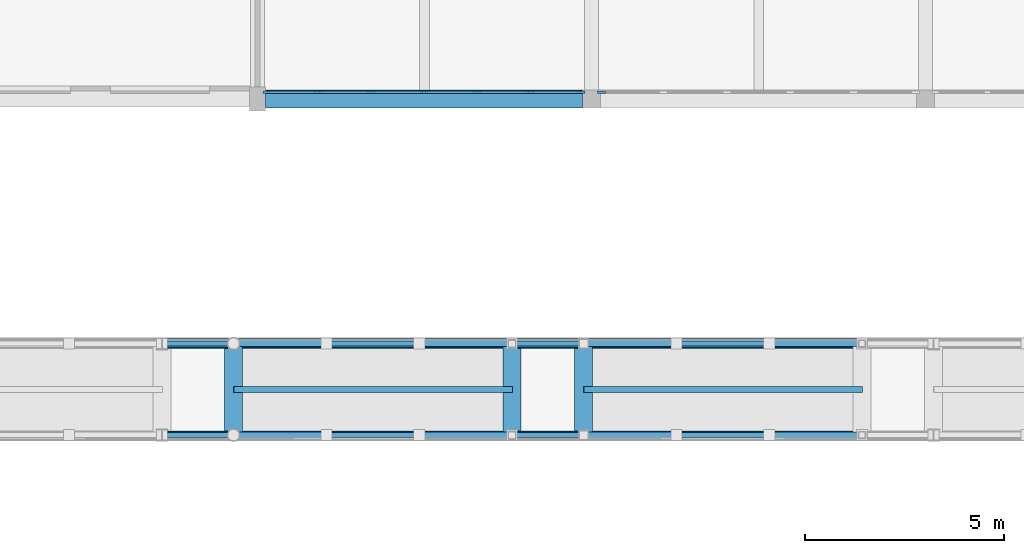
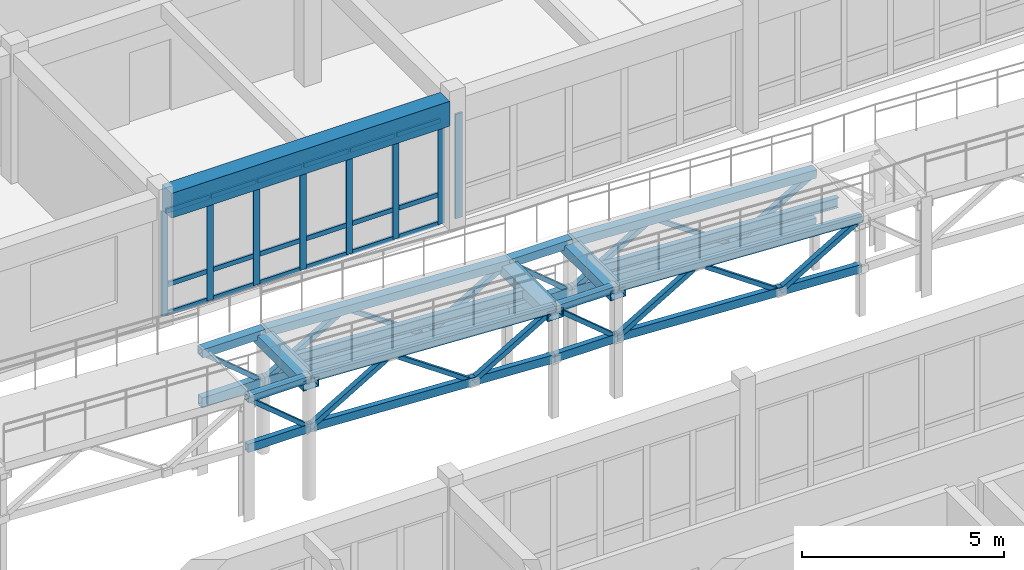
# One storey, part 28 of 89: 58 members, 6 beams, 2 elements without a shape of their own.
"""IFC4 building model written with IfcOpenShell, lengths in metres."""

from ifc_helpers import new_model, si_unit, direction, frame, origin, origin_2d, place, context, subcontext, project, spatial, rectangle, hollow_rectangle, i_section, extrude, material, material_profile, profile_set, type_object, element, aggregate, save


model = new_model("IFC4")

# Units and contexts
model_context = context("Model", 3, precision=1e-05, world=origin(), true_north=direction((0.0, 1.0)))
body_context = subcontext(model_context, "Body", "Model", "MODEL_VIEW")
ifc_project = project(units=[si_unit("LENGTHUNIT", "METRE"), si_unit("AREAUNIT", "SQUARE_METRE"), si_unit("VOLUMEUNIT", "CUBIC_METRE"), si_unit("PLANEANGLEUNIT", "RADIAN"), si_unit("MASSUNIT", "GRAM", prefix="KILO")], contexts=[model_context])

# Site, building, storey
site_placement = place(None, origin())
site = spatial("IfcSite", under=ifc_project, at=site_placement, CompositionType="ELEMENT")
building_placement = place(site_placement, origin())
building = spatial("IfcBuilding", under=site, at=building_placement, Name="Malvenik Polytechnic", CompositionType="ELEMENT")
storey_placement = place(building_placement, frame((0.0, 0.0, 13.5)))
storey = spatial("IfcBuildingStorey", under=building, at=storey_placement, Name="L03", CompositionType="ELEMENT", Elevation=13.5)

# Curtain wall, members
ifc_material_1 = material(Name="Anodised aluminium 6060-T6", Category="aluminium")
curtain_wall_type = type_object("IfcCurtainWallType", Name="ARC-CW-CW-02", PredefinedType="NOTDEFINED", material=ifc_material_1)
curtain_wall_1_placement = place(storey_placement, origin())
curtain_wall_1 = element("IfcCurtainWall", 1, at=curtain_wall_1_placement, inside=storey, type_object=curtain_wall_type, Name="Unitised Curtain Wall CW-02 L03 #202", PredefinedType="NOTDEFINED")
ifc_material_2 = material(Name="Anodised aluminium", Category="aluminium")
ifc_material_profile_1 = material_profile(ifc_material_2, rectangle(XDim=0.06005859375, YDim=0.179931640625, at=origin_2d()), Name="ALU MULLION 60x180")
ifc_profile_set_1 = profile_set([ifc_material_profile_1], Name="Anodised aluminium")
member_type_1 = type_object("IfcMemberType", Name="ARC-CWM-180", PredefinedType="MULLION", material=ifc_profile_set_1)
member_1_placement = place(storey_placement, frame((41.7470703125, 79.3701171875, 0.0), z_axis=(0.0, 0.0, 1.0), x_axis=(0.0, -1.0, 0.0)))
member_1 = element("IfcMember", 2, at=member_1_placement, type_object=member_type_1, Name="CW-02 mullion 1", PredefinedType="MULLION", context=body_context, shape_type="SweptSolid", body=[
    extrude(rectangle(XDim=0.06005859375, YDim=0.179931640625, at=origin_2d()), origin(), (0.0, 0.0, 1.0), 3.159912109375),
])
member_2_placement = place(storey_placement, frame((40.447265625, 79.3701171875, 0.0), z_axis=(0.0, 0.0, 1.0), x_axis=(0.0, -1.0, 0.0)))
member_2 = element("IfcMember", 3, at=member_2_placement, type_object=member_type_1, Name="CW-02 mullion 2", PredefinedType="MULLION", context=body_context, shape_type="SweptSolid", body=[
    extrude(rectangle(XDim=0.06005859375, YDim=0.179931640625, at=origin_2d()), origin(), (0.0, 0.0, 1.0), 3.159912109375),
])
member_3_placement = place(storey_placement, frame((39.117431640625, 79.3701171875, 0.0), z_axis=(0.0, 0.0, 1.0), x_axis=(0.0, -1.0, 0.0)))
member_3 = element("IfcMember", 4, at=member_3_placement, type_object=member_type_1, Name="CW-02 mullion 3", PredefinedType="MULLION", context=body_context, shape_type="SweptSolid", body=[
    extrude(rectangle(XDim=0.06005859375, YDim=0.179931640625, at=origin_2d()), origin(), (0.0, 0.0, 1.0), 3.159912109375),
])
member_4_placement = place(storey_placement, frame((37.78759765625, 79.3701171875, 0.0), z_axis=(0.0, 0.0, 1.0), x_axis=(0.0, -1.0, 0.0)))
member_4 = element("IfcMember", 5, at=member_4_placement, type_object=member_type_1, Name="CW-02 mullion 4", PredefinedType="MULLION", context=body_context, shape_type="SweptSolid", body=[
    extrude(rectangle(XDim=0.06005859375, YDim=0.179931640625, at=origin_2d()), origin(), (0.0, 0.0, 1.0), 3.159912109375),
])
member_5_placement = place(storey_placement, frame((36.457763671875, 79.3701171875, 0.0), z_axis=(0.0, 0.0, 1.0), x_axis=(0.0, -1.0, 0.0)))
member_5 = element("IfcMember", 6, at=member_5_placement, type_object=member_type_1, Name="CW-02 mullion 5", PredefinedType="MULLION", context=body_context, shape_type="SweptSolid", body=[
    extrude(rectangle(XDim=0.06005859375, YDim=0.179931640625, at=origin_2d()), origin(), (0.0, 0.0, 1.0), 3.159912109375),
])
member_6_placement = place(storey_placement, frame((35.1279296875, 79.3701171875, 0.0), z_axis=(0.0, 0.0, 1.0), x_axis=(0.0, -1.0, 0.0)))
member_6 = element("IfcMember", 7, at=member_6_placement, type_object=member_type_1, Name="CW-02 mullion 6", PredefinedType="MULLION", context=body_context, shape_type="SweptSolid", body=[
    extrude(rectangle(XDim=0.06005859375, YDim=0.179931640625, at=origin_2d()), origin(), (0.0, 0.0, 1.0), 3.159912109375),
])
member_7_placement = place(storey_placement, frame((33.827880859375, 79.3701171875, 0.0), z_axis=(0.0, 0.0, 1.0), x_axis=(0.0, -1.0, 0.0)))
member_7 = element("IfcMember", 8, at=member_7_placement, type_object=member_type_1, Name="CW-02 mullion 7", PredefinedType="MULLION", context=body_context, shape_type="SweptSolid", body=[
    extrude(rectangle(XDim=0.06005859375, YDim=0.179931640625, at=origin_2d()), origin(), (0.0, 0.0, 1.0), 3.159912109375),
])

# Curtain wall, member
curtain_wall_2_placement = place(storey_placement, origin())
curtain_wall_2 = element("IfcCurtainWall", 9, at=curtain_wall_2_placement, inside=storey, type_object=curtain_wall_type, Name="Unitised Curtain Wall CW-02 L03 #201", PredefinedType="NOTDEFINED")
ifc_material_profile_2 = material_profile(ifc_material_2, rectangle(XDim=0.06005859375, YDim=0.199951171875, at=origin_2d()), Name="ALU MULLION 60x200")
ifc_profile_set_2 = profile_set([ifc_material_profile_2], Name="Anodised aluminium")
member_type_2 = type_object("IfcMemberType", Name="ARC-CWM-200", PredefinedType="MULLION", material=ifc_profile_set_2)
member_8_placement = place(storey_placement, frame((42.2529296875, 79.3701171875, 0.0), z_axis=(0.0, 0.0, 1.0), x_axis=(0.0, -1.0, 0.0)))
member_8 = element("IfcMember", 10, at=member_8_placement, type_object=member_type_2, Name="CW-02 mullion 6", PredefinedType="MULLION", context=body_context, shape_type="SweptSolid", body=[
    extrude(rectangle(XDim=0.06005859375, YDim=0.199951171875, at=origin_2d()), origin(), (0.0, 0.0, 1.0), 3.159912109375),
])
aggregate(curtain_wall_2, [member_8])

# Member
ifc_material_profile_3 = material_profile(ifc_material_2, rectangle(XDim=0.06005859375, YDim=0.139892578125, at=origin_2d()), Name="ALU TRANSOM 60x140")
ifc_profile_set_3 = profile_set([ifc_material_profile_3], Name="Anodised aluminium")
member_type_3 = type_object("IfcMemberType", Name="ARC-CWT-140", PredefinedType="USERDEFINED", material=ifc_profile_set_3)
member_9_placement = place(storey_placement, frame((41.717041015625, 79.3701171875, 0.030029296875), z_axis=(-1.0, 0.0, 0.0), x_axis=(0.0, -1.0, 0.0)))
member_9 = element("IfcMember", 11, at=member_9_placement, type_object=member_type_3, Name="CW-02 transom 1.1", ObjectType="TRANSOM", PredefinedType="USERDEFINED", context=body_context, shape_type="SweptSolid", body=[
    extrude(rectangle(XDim=0.06005859375, YDim=0.139892578125, at=origin_2d()), origin(), (0.0, 0.0, 1.0), 1.239990234375),
])

member_10_placement = place(storey_placement, frame((41.717041015625, 79.3701171875, 0.89990234375), z_axis=(-1.0, 0.0, 0.0), x_axis=(0.0, -1.0, 0.0)))
member_10 = element("IfcMember", 12, at=member_10_placement, type_object=member_type_3, Name="CW-02 transom 1.2", ObjectType="TRANSOM", PredefinedType="USERDEFINED", context=body_context, shape_type="SweptSolid", body=[
    extrude(rectangle(XDim=0.06005859375, YDim=0.139892578125, at=origin_2d()), origin(), (0.0, 0.0, 1.0), 1.239990234375),
])

member_11_placement = place(storey_placement, frame((41.717041015625, 79.3701171875, 3.1298828125), z_axis=(-1.0, 0.0, 0.0), x_axis=(0.0, -1.0, 0.0)))
member_11 = element("IfcMember", 13, at=member_11_placement, type_object=member_type_3, Name="CW-02 transom 1.3", ObjectType="TRANSOM", PredefinedType="USERDEFINED", context=body_context, shape_type="SweptSolid", body=[
    extrude(rectangle(XDim=0.06005859375, YDim=0.139892578125, at=origin_2d()), origin(), (0.0, 0.0, 1.0), 1.239990234375),
])

member_12_placement = place(storey_placement, frame((40.417236328125, 79.3701171875, 0.030029296875), z_axis=(-1.0, 0.0, 0.0), x_axis=(0.0, -1.0, 0.0)))
member_12 = element("IfcMember", 14, at=member_12_placement, type_object=member_type_3, Name="CW-02 transom 2.1", ObjectType="TRANSOM", PredefinedType="USERDEFINED", context=body_context, shape_type="SweptSolid", body=[
    extrude(rectangle(XDim=0.06005859375, YDim=0.139892578125, at=origin_2d()), origin(), (0.0, 0.0, 1.0), 1.27001953125),
])

member_13_placement = place(storey_placement, frame((40.417236328125, 79.3701171875, 0.89990234375), z_axis=(-1.0, 0.0, 0.0), x_axis=(0.0, -1.0, 0.0)))
member_13 = element("IfcMember", 15, at=member_13_placement, type_object=member_type_3, Name="CW-02 transom 2.2", ObjectType="TRANSOM", PredefinedType="USERDEFINED", context=body_context, shape_type="SweptSolid", body=[
    extrude(rectangle(XDim=0.06005859375, YDim=0.139892578125, at=origin_2d()), origin(), (0.0, 0.0, 1.0), 1.27001953125),
])

member_14_placement = place(storey_placement, frame((40.417236328125, 79.3701171875, 3.1298828125), z_axis=(-1.0, 0.0, 0.0), x_axis=(0.0, -1.0, 0.0)))
member_14 = element("IfcMember", 16, at=member_14_placement, type_object=member_type_3, Name="CW-02 transom 2.3", ObjectType="TRANSOM", PredefinedType="USERDEFINED", context=body_context, shape_type="SweptSolid", body=[
    extrude(rectangle(XDim=0.06005859375, YDim=0.139892578125, at=origin_2d()), origin(), (0.0, 0.0, 1.0), 1.27001953125),
])

member_15_placement = place(storey_placement, frame((39.08740234375, 79.3701171875, 0.030029296875), z_axis=(-1.0, 0.0, 0.0), x_axis=(0.0, -1.0, 0.0)))
member_15 = element("IfcMember", 17, at=member_15_placement, type_object=member_type_3, Name="CW-02 transom 3.1", ObjectType="TRANSOM", PredefinedType="USERDEFINED", context=body_context, shape_type="SweptSolid", body=[
    extrude(rectangle(XDim=0.06005859375, YDim=0.139892578125, at=origin_2d()), origin(), (0.0, 0.0, 1.0), 1.27001953125),
])

member_16_placement = place(storey_placement, frame((39.08740234375, 79.3701171875, 0.89990234375), z_axis=(-1.0, 0.0, 0.0), x_axis=(0.0, -1.0, 0.0)))
member_16 = element("IfcMember", 18, at=member_16_placement, type_object=member_type_3, Name="CW-02 transom 3.2", ObjectType="TRANSOM", PredefinedType="USERDEFINED", context=body_context, shape_type="SweptSolid", body=[
    extrude(rectangle(XDim=0.06005859375, YDim=0.139892578125, at=origin_2d()), origin(), (0.0, 0.0, 1.0), 1.27001953125),
])

member_17_placement = place(storey_placement, frame((39.08740234375, 79.3701171875, 3.1298828125), z_axis=(-1.0, 0.0, 0.0), x_axis=(0.0, -1.0, 0.0)))
member_17 = element("IfcMember", 19, at=member_17_placement, type_object=member_type_3, Name="CW-02 transom 3.3", ObjectType="TRANSOM", PredefinedType="USERDEFINED", context=body_context, shape_type="SweptSolid", body=[
    extrude(rectangle(XDim=0.06005859375, YDim=0.139892578125, at=origin_2d()), origin(), (0.0, 0.0, 1.0), 1.27001953125),
])

member_18_placement = place(storey_placement, frame((37.757568359375, 79.3701171875, 0.030029296875), z_axis=(-1.0, 0.0, 0.0), x_axis=(0.0, -1.0, 0.0)))
member_18 = element("IfcMember", 20, at=member_18_placement, type_object=member_type_3, Name="CW-02 transom 4.1", ObjectType="TRANSOM", PredefinedType="USERDEFINED", context=body_context, shape_type="SweptSolid", body=[
    extrude(rectangle(XDim=0.06005859375, YDim=0.139892578125, at=origin_2d()), origin(), (0.0, 0.0, 1.0), 1.27001953125),
])

member_19_placement = place(storey_placement, frame((37.757568359375, 79.3701171875, 0.89990234375), z_axis=(-1.0, 0.0, 0.0), x_axis=(0.0, -1.0, 0.0)))
member_19 = element("IfcMember", 21, at=member_19_placement, type_object=member_type_3, Name="CW-02 transom 4.2", ObjectType="TRANSOM", PredefinedType="USERDEFINED", context=body_context, shape_type="SweptSolid", body=[
    extrude(rectangle(XDim=0.06005859375, YDim=0.139892578125, at=origin_2d()), origin(), (0.0, 0.0, 1.0), 1.27001953125),
])

member_20_placement = place(storey_placement, frame((37.757568359375, 79.3701171875, 3.1298828125), z_axis=(-1.0, 0.0, 0.0), x_axis=(0.0, -1.0, 0.0)))
member_20 = element("IfcMember", 22, at=member_20_placement, type_object=member_type_3, Name="CW-02 transom 4.3", ObjectType="TRANSOM", PredefinedType="USERDEFINED", context=body_context, shape_type="SweptSolid", body=[
    extrude(rectangle(XDim=0.06005859375, YDim=0.139892578125, at=origin_2d()), origin(), (0.0, 0.0, 1.0), 1.27001953125),
])

member_21_placement = place(storey_placement, frame((36.427734375, 79.3701171875, 0.030029296875), z_axis=(-1.0, 0.0, 0.0), x_axis=(0.0, -1.0, 0.0)))
member_21 = element("IfcMember", 23, at=member_21_placement, type_object=member_type_3, Name="CW-02 transom 5.1", ObjectType="TRANSOM", PredefinedType="USERDEFINED", context=body_context, shape_type="SweptSolid", body=[
    extrude(rectangle(XDim=0.06005859375, YDim=0.139892578125, at=origin_2d()), origin(), (0.0, 0.0, 1.0), 1.27001953125),
])

member_22_placement = place(storey_placement, frame((36.427734375, 79.3701171875, 0.89990234375), z_axis=(-1.0, 0.0, 0.0), x_axis=(0.0, -1.0, 0.0)))
member_22 = element("IfcMember", 24, at=member_22_placement, type_object=member_type_3, Name="CW-02 transom 5.2", ObjectType="TRANSOM", PredefinedType="USERDEFINED", context=body_context, shape_type="SweptSolid", body=[
    extrude(rectangle(XDim=0.06005859375, YDim=0.139892578125, at=origin_2d()), origin(), (0.0, 0.0, 1.0), 1.27001953125),
])

member_23_placement = place(storey_placement, frame((36.427734375, 79.3701171875, 3.1298828125), z_axis=(-1.0, 0.0, 0.0), x_axis=(0.0, -1.0, 0.0)))
member_23 = element("IfcMember", 25, at=member_23_placement, type_object=member_type_3, Name="CW-02 transom 5.3", ObjectType="TRANSOM", PredefinedType="USERDEFINED", context=body_context, shape_type="SweptSolid", body=[
    extrude(rectangle(XDim=0.06005859375, YDim=0.139892578125, at=origin_2d()), origin(), (0.0, 0.0, 1.0), 1.27001953125),
])

member_24_placement = place(storey_placement, frame((35.097900390625, 79.3701171875, 0.030029296875), z_axis=(-1.0, 0.0, 0.0), x_axis=(0.0, -1.0, 0.0)))
member_24 = element("IfcMember", 26, at=member_24_placement, type_object=member_type_3, Name="CW-02 transom 6.1", ObjectType="TRANSOM", PredefinedType="USERDEFINED", context=body_context, shape_type="SweptSolid", body=[
    extrude(rectangle(XDim=0.06005859375, YDim=0.139892578125, at=origin_2d()), origin(), (0.0, 0.0, 1.0), 1.239990234375),
])

member_25_placement = place(storey_placement, frame((35.097900390625, 79.3701171875, 0.89990234375), z_axis=(-1.0, 0.0, 0.0), x_axis=(0.0, -1.0, 0.0)))
member_25 = element("IfcMember", 27, at=member_25_placement, type_object=member_type_3, Name="CW-02 transom 6.2", ObjectType="TRANSOM", PredefinedType="USERDEFINED", context=body_context, shape_type="SweptSolid", body=[
    extrude(rectangle(XDim=0.06005859375, YDim=0.139892578125, at=origin_2d()), origin(), (0.0, 0.0, 1.0), 1.239990234375),
])

member_26_placement = place(storey_placement, frame((35.097900390625, 79.3701171875, 3.1298828125), z_axis=(-1.0, 0.0, 0.0), x_axis=(0.0, -1.0, 0.0)))
member_26 = element("IfcMember", 28, at=member_26_placement, type_object=member_type_3, Name="CW-02 transom 6.3", ObjectType="TRANSOM", PredefinedType="USERDEFINED", context=body_context, shape_type="SweptSolid", body=[
    extrude(rectangle(XDim=0.06005859375, YDim=0.139892578125, at=origin_2d()), origin(), (0.0, 0.0, 1.0), 1.239990234375),
])

aggregate(curtain_wall_1, [member_1, member_2, member_3, member_4, member_5, member_6, member_7, member_9, member_10, member_11, member_12, member_13, member_14, member_15, member_16, member_17, member_18, member_19, member_20, member_21, member_22, member_23, member_24, member_25, member_26])

# Beams
ifc_material_3 = material(Name="Steel S355J2H", Category="steel")
ifc_material_profile_4 = material_profile(ifc_material_3, hollow_rectangle(XDim=0.449951171875, YDim=0.300048828125, WallThickness=0.012451171875, at=origin_2d()), Name="RHS 450x300x12.5")
ifc_profile_set_4 = profile_set([ifc_material_profile_4], Name="Steel S355J2H")
beam_type_1 = type_object("IfcBeamType", Name="STR-BM-SB-07", PredefinedType="BEAM", material=ifc_profile_set_4)
for number, where, z_axis, x_axis, name in (
    (29, (41.800048828125, 70.64990234375, 3.132080078125), (0.0, 1.0, 0.0), (-1.0, 0.0, 0.0), "Ramp Joint Transom RB-02 #19"),
    (30, (40.0, 70.64990234375, 3.132080078125), (0.0, 1.0, 0.0), (-1.0, 0.0, 0.0), "Ramp Joint Transom RB-02 #20"),
    (31, (33.0, 70.64990234375, 3.48193359375), (0.0, 1.0, 0.0), (-1.0, 0.0, 0.0), "Ramp Joint Transom RB-02 #21"),
):
    element("IfcBeam", number, at=place(storey_placement, frame(where, z_axis=z_axis, x_axis=x_axis)), inside=storey, type_object=beam_type_1, Name=name, PredefinedType="BEAM", context=body_context, shape_type="SweptSolid", body=[
        extrude(hollow_rectangle(XDim=0.449951171875, YDim=0.300048828125, WallThickness=0.012451171875, at=origin_2d()), origin(), (0.0, 0.0, 1.0), 2.5),
    ])
ifc_material_4 = material(Name="Steel S355", Category="steel")
ifc_material_profile_5 = material_profile(ifc_material_4, i_section(OverallWidth=0.14990234375, OverallDepth=0.300048828125, WebThickness=0.007080078125, FlangeThickness=0.0107421875, FilletRadius=0.014892578125, at=origin_2d()), Name="IPE 300")
ifc_profile_set_5 = profile_set([ifc_material_profile_5], Name="Steel S355")
beam_type_2 = type_object("IfcBeamType", Name="STR-BM-SB-09", PredefinedType="JOIST", material=ifc_profile_set_5)
for number, where, z_axis, x_axis, name in (
    (32, (48.800048828125, 71.89990234375, 2.72509765625), (-0.998753381067, 0.0, 0.049916768801), (0.0, -1.0, 0.0), "Ramp Centreline Stringer RB-02 #18"),
    (33, (40.0, 71.89990234375, 3.074951171875), (-0.998751643845, 0.0, 0.049951515669), (0.0, -1.0, 0.0), "Ramp Centreline Stringer RB-02 #20"),
):
    element("IfcBeam", number, at=place(storey_placement, frame(where, z_axis=z_axis, x_axis=x_axis)), inside=storey, type_object=beam_type_2, Name=name, PredefinedType="JOIST", context=body_context, shape_type="SweptSolid", body=[
        extrude(i_section(OverallWidth=0.14990234375, OverallDepth=0.300048828125, WebThickness=0.007080078125, FlangeThickness=0.0107421875, FilletRadius=0.014892578125, at=origin_2d()), origin(), (0.0, 0.0, 1.0), 7.0087890625),
    ])
ifc_material_5 = material(Name="Precast concrete C40/50", Category="concrete")
ifc_material_profile_6 = material_profile(ifc_material_5, rectangle(XDim=0.4599609375, YDim=0.75, at=origin_2d()), Name="PC SPN 460x750")
ifc_profile_set_6 = profile_set([ifc_material_profile_6], Name="Precast concrete C40/50")
beam_type_3 = type_object("IfcBeamType", Name="STR-BM-SP-02", PredefinedType="SPANDREL", material=ifc_profile_set_6)
beam_placement = place(storey_placement, frame((33.798095703125, 79.199951171875, 3.544921875), z_axis=(1.0, 0.0, 0.0), x_axis=(0.0, 1.0, 0.0)))
element("IfcBeam", 34, at=beam_placement, inside=storey, type_object=beam_type_3, Name="Primary Beam SP-02 L03 #1638", PredefinedType="SPANDREL", context=body_context, shape_type="SweptSolid", body=[
    extrude(rectangle(XDim=0.4599609375, YDim=0.75, at=origin_2d()), origin(), (0.0, 0.0, 1.0), 7.97900390625),
])

# Members
ifc_material_profile_7 = material_profile(ifc_material_3, hollow_rectangle(XDim=0.14990234375, YDim=0.25, WallThickness=0.010009765625, at=origin_2d()), Name="RHS 250x150x10.0")
ifc_profile_set_7 = profile_set([ifc_material_profile_7], Name="Steel S355J2H")
member_type_4 = type_object("IfcMemberType", Name="STR-MEM-TRB-01", PredefinedType="CHORD", material=ifc_profile_set_7)
member_27_placement = place(storey_placement, frame((48.7958984375, 70.75, 1.43017578125), z_axis=(-0.998752251909, 0.0, 0.049939356288), x_axis=(0.0, -1.0, 0.0)))
element("IfcMember", 35, at=member_27_placement, inside=storey, type_object=member_type_4, Name="Space-Frame Tube TRB-01 STR-TR-BC-RB-02-1-18", PredefinedType="CHORD", context=body_context, shape_type="SweptSolid", body=[
    extrude(hollow_rectangle(XDim=0.14990234375, YDim=0.25, WallThickness=0.010009765625, at=origin_2d()), origin(), (0.0, 0.0, 1.0), 7.000732421875),
])
member_28_placement = place(storey_placement, frame((41.7958984375, 70.75, 1.780029296875), z_axis=(-1.0, 0.0, 0.0), x_axis=(0.0, -1.0, 0.0)))
element("IfcMember", 36, at=member_28_placement, inside=storey, type_object=member_type_4, Name="Space-Frame Tube TRB-01 STR-TR-BC-RB-02-1-19", PredefinedType="CHORD", context=body_context, shape_type="SweptSolid", body=[
    extrude(hollow_rectangle(XDim=0.14990234375, YDim=0.25, WallThickness=0.010009765625, at=origin_2d()), origin(), (0.0, 0.0, 1.0), 1.7919921875),
])
member_29_placement = place(storey_placement, frame((39.99609375, 70.75, 1.7802734375), z_axis=(-0.998752338878, 0.0, 0.049937616944), x_axis=(0.0, -1.0, 0.0)))
element("IfcMember", 37, at=member_29_placement, inside=storey, type_object=member_type_4, Name="Space-Frame Tube TRB-01 STR-TR-BC-RB-02-1-20", PredefinedType="CHORD", context=body_context, shape_type="SweptSolid", body=[
    extrude(hollow_rectangle(XDim=0.14990234375, YDim=0.25, WallThickness=0.010009765625, at=origin_2d()), origin(), (0.0, 0.0, 1.0), 7.0009765625),
])
member_30_placement = place(storey_placement, frame((32.99609375, 70.75, 2.1298828125), z_axis=(-1.0, 0.0, 0.0), x_axis=(0.0, -1.0, 0.0)))
element("IfcMember", 38, at=member_30_placement, inside=storey, type_object=member_type_4, Name="Space-Frame Tube TRB-01 STR-TR-BC-RB-02-1-21", PredefinedType="CHORD", context=body_context, shape_type="SweptSolid", body=[
    extrude(hollow_rectangle(XDim=0.14990234375, YDim=0.25, WallThickness=0.010009765625, at=origin_2d()), origin(), (0.0, 0.0, 1.0), 1.7919921875),
])
ifc_material_profile_8 = material_profile(ifc_material_3, hollow_rectangle(XDim=0.199951171875, YDim=0.300048828125, WallThickness=0.010009765625, at=origin_2d()), Name="RHS 300x200x10.0")
ifc_profile_set_8 = profile_set([ifc_material_profile_8], Name="Steel S355J2H")
member_type_5 = type_object("IfcMemberType", Name="STR-MEM-TRB-02", PredefinedType="CHORD", material=ifc_profile_set_8)
member_31_placement = place(storey_placement, frame((48.7958984375, 73.050048828125, 1.43017578125), z_axis=(-0.998752251909, 0.0, 0.049939356288), x_axis=(0.0, -1.0, 0.0)))
element("IfcMember", 39, at=member_31_placement, inside=storey, type_object=member_type_5, Name="Space-Frame Tube TRB-02 STR-TR-BC-RB-02-2-18", PredefinedType="CHORD", context=body_context, shape_type="SweptSolid", body=[
    extrude(hollow_rectangle(XDim=0.199951171875, YDim=0.300048828125, WallThickness=0.010009765625, at=origin_2d()), origin(), (0.0, 0.0, 1.0), 7.000732421875),
])
member_32_placement = place(storey_placement, frame((41.7958984375, 73.050048828125, 1.780029296875), z_axis=(-1.0, 0.0, 0.0), x_axis=(0.0, -1.0, 0.0)))
element("IfcMember", 40, at=member_32_placement, inside=storey, type_object=member_type_5, Name="Space-Frame Tube TRB-02 STR-TR-BC-RB-02-2-19", PredefinedType="CHORD", context=body_context, shape_type="SweptSolid", body=[
    extrude(hollow_rectangle(XDim=0.199951171875, YDim=0.300048828125, WallThickness=0.010009765625, at=origin_2d()), origin(), (0.0, 0.0, 1.0), 1.7919921875),
])
member_33_placement = place(storey_placement, frame((39.99609375, 73.050048828125, 1.7802734375), z_axis=(-0.998752338878, 0.0, 0.049937616944), x_axis=(0.0, -1.0, 0.0)))
element("IfcMember", 41, at=member_33_placement, inside=storey, type_object=member_type_5, Name="Space-Frame Tube TRB-02 STR-TR-BC-RB-02-2-20", PredefinedType="CHORD", context=body_context, shape_type="SweptSolid", body=[
    extrude(hollow_rectangle(XDim=0.199951171875, YDim=0.300048828125, WallThickness=0.010009765625, at=origin_2d()), origin(), (0.0, 0.0, 1.0), 7.0009765625),
])
member_34_placement = place(storey_placement, frame((32.99609375, 73.050048828125, 2.1298828125), z_axis=(-1.0, 0.0, 0.0), x_axis=(0.0, -1.0, 0.0)))
element("IfcMember", 42, at=member_34_placement, inside=storey, type_object=member_type_5, Name="Space-Frame Tube TRB-02 STR-TR-BC-RB-02-2-21", PredefinedType="CHORD", context=body_context, shape_type="SweptSolid", body=[
    extrude(hollow_rectangle(XDim=0.199951171875, YDim=0.300048828125, WallThickness=0.010009765625, at=origin_2d()), origin(), (0.0, 0.0, 1.0), 1.7919921875),
])
ifc_material_profile_9 = material_profile(ifc_material_3, hollow_rectangle(XDim=0.14990234375, YDim=0.14990234375, WallThickness=0.008056640625, at=origin_2d()), Name="SHS 150x150x8.0")
ifc_profile_set_9 = profile_set([ifc_material_profile_9], Name="Steel S355J2H")
member_type_6 = type_object("IfcMemberType", Name="STR-MEM-TRD-01", PredefinedType="BRACE", material=ifc_profile_set_9)
for number, where, z_axis, x_axis, name in (
    (43, (48.796630859375, 70.75, 2.927978515625), (-0.860165406805, 0.0, -0.51001516932), (0.0, -1.0, 0.0), "Space-Frame Tube TRD-01 STR-TRD-01-RB-02-1-18"),
    (44, (44.1298828125, 70.75, 3.161376953125), (-0.860165406805, 0.0, -0.51001516932), (0.0, -1.0, 0.0), "Space-Frame Tube TRD-01 STR-TRD-03-RB-02-1-18"),
    (45, (39.99658203125, 70.75, 3.278076171875), (-0.860165406805, 0.0, -0.51001516932), (0.0, -1.0, 0.0), "Space-Frame Tube TRD-01 STR-TRD-01-RB-02-1-20"),
    (46, (35.329833984375, 70.75, 3.51123046875), (-0.860205006447, 0.0, -0.509948376684), (0.0, -1.0, 0.0), "Space-Frame Tube TRD-01 STR-TRD-03-RB-02-1-20"),
    (47, (48.796630859375, 73.050048828125, 2.927978515625), (-0.860165406805, 0.0, -0.51001516932), (0.0, -1.0, 0.0), "Space-Frame Tube TRD-01 STR-TRD-01-RB-02-2-18"),
    (48, (44.1298828125, 73.050048828125, 3.161376953125), (-0.860165406805, 0.0, -0.51001516932), (0.0, -1.0, 0.0), "Space-Frame Tube TRD-01 STR-TRD-03-RB-02-2-18"),
    (49, (39.99658203125, 73.050048828125, 3.278076171875), (-0.860165406805, 0.0, -0.51001516932), (0.0, -1.0, 0.0), "Space-Frame Tube TRD-01 STR-TRD-01-RB-02-2-20"),
    (50, (35.329833984375, 73.050048828125, 3.51123046875), (-0.860205006447, 0.0, -0.509948376684), (0.0, -1.0, 0.0), "Space-Frame Tube TRD-01 STR-TRD-03-RB-02-2-20"),
):
    element("IfcMember", number, at=place(storey_placement, frame(where, z_axis=z_axis, x_axis=x_axis)), inside=storey, type_object=member_type_6, Name=name, PredefinedType="BRACE", context=body_context, shape_type="SweptSolid", body=[
        extrude(hollow_rectangle(XDim=0.14990234375, YDim=0.14990234375, WallThickness=0.008056640625, at=origin_2d()), origin(), (0.0, 0.0, 1.0), 2.70458984375),
    ])
ifc_material_profile_10 = material_profile(ifc_material_3, hollow_rectangle(XDim=0.1201171875, YDim=0.1201171875, WallThickness=0.00634765625, at=origin_2d()), Name="SHS 120x120x6.3")
ifc_profile_set_10 = profile_set([ifc_material_profile_10], Name="Steel S355J2H")
member_type_7 = type_object("IfcMemberType", Name="STR-MEM-TRD-02", PredefinedType="BRACE", material=ifc_profile_set_10)
member_35_placement = place(storey_placement, frame((46.46337890625, 70.75, 1.549072265625), z_axis=(-0.822018261481, 0.0, 0.569461129307), x_axis=(0.0, -1.0, 0.0)))
element("IfcMember", 51, at=member_35_placement, inside=storey, type_object=member_type_7, Name="Space-Frame Tube TRD-02 STR-TRD-02-RB-02-1-18", PredefinedType="BRACE", context=body_context, shape_type="SweptSolid", body=[
    extrude(hollow_rectangle(XDim=0.1201171875, YDim=0.1201171875, WallThickness=0.00634765625, at=origin_2d()), origin(), (0.0, 0.0, 1.0), 2.830322265625),
])
member_36_placement = place(storey_placement, frame((41.796875, 70.75, 1.78271484375), z_axis=(-0.768246991948, 0.0, 0.640153543583), x_axis=(0.0, -1.0, 0.0)))
element("IfcMember", 52, at=member_36_placement, inside=storey, type_object=member_type_7, Name="Space-Frame Tube TRD-02 STR-TR-DGL-RB-02-1-19", PredefinedType="BRACE", context=body_context, shape_type="SweptSolid", body=[
    extrude(hollow_rectangle(XDim=0.1201171875, YDim=0.1201171875, WallThickness=0.00634765625, at=origin_2d()), origin(), (0.0, 0.0, 1.0), 2.334716796875),
])
member_37_placement = place(storey_placement, frame((37.663330078125, 70.75, 1.89892578125), z_axis=(-0.821977884392, 0.0, 0.569519409301), x_axis=(0.0, -1.0, 0.0)))
element("IfcMember", 53, at=member_37_placement, inside=storey, type_object=member_type_7, Name="Space-Frame Tube TRD-02 STR-TRD-02-RB-02-1-20", PredefinedType="BRACE", context=body_context, shape_type="SweptSolid", body=[
    extrude(hollow_rectangle(XDim=0.1201171875, YDim=0.1201171875, WallThickness=0.00634765625, at=origin_2d()), origin(), (0.0, 0.0, 1.0), 2.83056640625),
])
member_38_placement = place(storey_placement, frame((32.996826171875, 70.75, 2.132568359375), z_axis=(-0.768195567728, 0.0, 0.640215252647), x_axis=(0.0, -1.0, 0.0)))
element("IfcMember", 54, at=member_38_placement, inside=storey, type_object=member_type_7, Name="Space-Frame Tube TRD-02 STR-TR-DGL-RB-02-1-21", PredefinedType="BRACE", context=body_context, shape_type="SweptSolid", body=[
    extrude(hollow_rectangle(XDim=0.1201171875, YDim=0.1201171875, WallThickness=0.00634765625, at=origin_2d()), origin(), (0.0, 0.0, 1.0), 2.3349609375),
])
member_39_placement = place(storey_placement, frame((46.46337890625, 73.050048828125, 1.549072265625), z_axis=(-0.822018261481, 0.0, 0.569461129307), x_axis=(0.0, -1.0, 0.0)))
element("IfcMember", 55, at=member_39_placement, inside=storey, type_object=member_type_7, Name="Space-Frame Tube TRD-02 STR-TRD-02-RB-02-2-18", PredefinedType="BRACE", context=body_context, shape_type="SweptSolid", body=[
    extrude(hollow_rectangle(XDim=0.1201171875, YDim=0.1201171875, WallThickness=0.00634765625, at=origin_2d()), origin(), (0.0, 0.0, 1.0), 2.830322265625),
])
member_40_placement = place(storey_placement, frame((41.796875, 73.050048828125, 1.78271484375), z_axis=(-0.768246991948, 0.0, 0.640153543583), x_axis=(0.0, -1.0, 0.0)))
element("IfcMember", 56, at=member_40_placement, inside=storey, type_object=member_type_7, Name="Space-Frame Tube TRD-02 STR-TR-DGL-RB-02-2-19", PredefinedType="BRACE", context=body_context, shape_type="SweptSolid", body=[
    extrude(hollow_rectangle(XDim=0.1201171875, YDim=0.1201171875, WallThickness=0.00634765625, at=origin_2d()), origin(), (0.0, 0.0, 1.0), 2.334716796875),
])
member_41_placement = place(storey_placement, frame((37.663330078125, 73.050048828125, 1.89892578125), z_axis=(-0.821977884392, 0.0, 0.569519409301), x_axis=(0.0, -1.0, 0.0)))
element("IfcMember", 57, at=member_41_placement, inside=storey, type_object=member_type_7, Name="Space-Frame Tube TRD-02 STR-TRD-02-RB-02-2-20", PredefinedType="BRACE", context=body_context, shape_type="SweptSolid", body=[
    extrude(hollow_rectangle(XDim=0.1201171875, YDim=0.1201171875, WallThickness=0.00634765625, at=origin_2d()), origin(), (0.0, 0.0, 1.0), 2.83056640625),
])
member_42_placement = place(storey_placement, frame((32.996826171875, 73.050048828125, 2.132568359375), z_axis=(-0.768195567728, 0.0, 0.640215252647), x_axis=(0.0, -1.0, 0.0)))
element("IfcMember", 58, at=member_42_placement, inside=storey, type_object=member_type_7, Name="Space-Frame Tube TRD-02 STR-TR-DGL-RB-02-2-21", PredefinedType="BRACE", context=body_context, shape_type="SweptSolid", body=[
    extrude(hollow_rectangle(XDim=0.1201171875, YDim=0.1201171875, WallThickness=0.00634765625, at=origin_2d()), origin(), (0.0, 0.0, 1.0), 2.3349609375),
])
ifc_material_profile_11 = material_profile(ifc_material_3, hollow_rectangle(XDim=0.199951171875, YDim=0.199951171875, WallThickness=0.010009765625, at=origin_2d()), Name="SHS 200x200x10.0")
ifc_profile_set_11 = profile_set([ifc_material_profile_11], Name="Steel S355J2H")
member_type_8 = type_object("IfcMemberType", Name="STR-MEM-TRT-01", PredefinedType="CHORD", material=ifc_profile_set_11)
member_43_placement = place(storey_placement, frame((48.7958984375, 70.75, 2.93017578125), z_axis=(-0.998752251909, 0.0, 0.049939356288), x_axis=(0.0, -1.0, 0.0)))
element("IfcMember", 59, at=member_43_placement, inside=storey, type_object=member_type_8, Name="Space-Frame Tube TRT-01 STR-TR-TC-RB-02-1-18", PredefinedType="CHORD", context=body_context, shape_type="SweptSolid", body=[
    extrude(hollow_rectangle(XDim=0.199951171875, YDim=0.199951171875, WallThickness=0.010009765625, at=origin_2d()), origin(), (0.0, 0.0, 1.0), 7.000732421875),
])
member_44_placement = place(storey_placement, frame((41.7958984375, 70.75, 3.280029296875), z_axis=(-1.0, 0.0, 0.0), x_axis=(0.0, -1.0, 0.0)))
element("IfcMember", 60, at=member_44_placement, inside=storey, type_object=member_type_8, Name="Space-Frame Tube TRT-01 STR-TR-TC-RB-02-1-19", PredefinedType="CHORD", context=body_context, shape_type="SweptSolid", body=[
    extrude(hollow_rectangle(XDim=0.199951171875, YDim=0.199951171875, WallThickness=0.010009765625, at=origin_2d()), origin(), (0.0, 0.0, 1.0), 1.7919921875),
])
member_45_placement = place(storey_placement, frame((39.99609375, 70.75, 3.2802734375), z_axis=(-0.998752338878, 0.0, 0.049937616944), x_axis=(0.0, -1.0, 0.0)))
element("IfcMember", 61, at=member_45_placement, inside=storey, type_object=member_type_8, Name="Space-Frame Tube TRT-01 STR-TR-TC-RB-02-1-20", PredefinedType="CHORD", context=body_context, shape_type="SweptSolid", body=[
    extrude(hollow_rectangle(XDim=0.199951171875, YDim=0.199951171875, WallThickness=0.010009765625, at=origin_2d()), origin(), (0.0, 0.0, 1.0), 7.0009765625),
])
member_46_placement = place(storey_placement, frame((32.99609375, 70.75, 3.6298828125), z_axis=(-1.0, 0.0, 0.0), x_axis=(0.0, -1.0, 0.0)))
element("IfcMember", 62, at=member_46_placement, inside=storey, type_object=member_type_8, Name="Space-Frame Tube TRT-01 STR-TR-TC-RB-02-1-21", PredefinedType="CHORD", context=body_context, shape_type="SweptSolid", body=[
    extrude(hollow_rectangle(XDim=0.199951171875, YDim=0.199951171875, WallThickness=0.010009765625, at=origin_2d()), origin(), (0.0, 0.0, 1.0), 1.7919921875),
])
ifc_material_profile_12 = material_profile(ifc_material_3, hollow_rectangle(XDim=0.25, YDim=0.25, WallThickness=0.010009765625, at=origin_2d()), Name="SHS 250x250x10.0")
ifc_profile_set_12 = profile_set([ifc_material_profile_12], Name="Steel S355J2H")
member_type_9 = type_object("IfcMemberType", Name="STR-MEM-TRT-02", PredefinedType="CHORD", material=ifc_profile_set_12)
member_47_placement = place(storey_placement, frame((48.7958984375, 73.050048828125, 2.93017578125), z_axis=(-0.998752251909, 0.0, 0.049939356288), x_axis=(0.0, -1.0, 0.0)))
element("IfcMember", 63, at=member_47_placement, inside=storey, type_object=member_type_9, Name="Space-Frame Tube TRT-02 STR-TR-TC-RB-02-2-18", PredefinedType="CHORD", context=body_context, shape_type="SweptSolid", body=[
    extrude(hollow_rectangle(XDim=0.25, YDim=0.25, WallThickness=0.010009765625, at=origin_2d()), origin(), (0.0, 0.0, 1.0), 7.000732421875),
])
member_48_placement = place(storey_placement, frame((41.7958984375, 73.050048828125, 3.280029296875), z_axis=(-1.0, 0.0, 0.0), x_axis=(0.0, -1.0, 0.0)))
element("IfcMember", 64, at=member_48_placement, inside=storey, type_object=member_type_9, Name="Space-Frame Tube TRT-02 STR-TR-TC-RB-02-2-19", PredefinedType="CHORD", context=body_context, shape_type="SweptSolid", body=[
    extrude(hollow_rectangle(XDim=0.25, YDim=0.25, WallThickness=0.010009765625, at=origin_2d()), origin(), (0.0, 0.0, 1.0), 1.7919921875),
])
member_49_placement = place(storey_placement, frame((39.99609375, 73.050048828125, 3.2802734375), z_axis=(-0.998752338878, 0.0, 0.049937616944), x_axis=(0.0, -1.0, 0.0)))
element("IfcMember", 65, at=member_49_placement, inside=storey, type_object=member_type_9, Name="Space-Frame Tube TRT-02 STR-TR-TC-RB-02-2-20", PredefinedType="CHORD", context=body_context, shape_type="SweptSolid", body=[
    extrude(hollow_rectangle(XDim=0.25, YDim=0.25, WallThickness=0.010009765625, at=origin_2d()), origin(), (0.0, 0.0, 1.0), 7.0009765625),
])
member_50_placement = place(storey_placement, frame((32.99609375, 73.050048828125, 3.6298828125), z_axis=(-1.0, 0.0, 0.0), x_axis=(0.0, -1.0, 0.0)))
element("IfcMember", 66, at=member_50_placement, inside=storey, type_object=member_type_9, Name="Space-Frame Tube TRT-02 STR-TR-TC-RB-02-2-21", PredefinedType="CHORD", context=body_context, shape_type="SweptSolid", body=[
    extrude(hollow_rectangle(XDim=0.25, YDim=0.25, WallThickness=0.010009765625, at=origin_2d()), origin(), (0.0, 0.0, 1.0), 1.7919921875),
])

save(model, "model.ifc")
